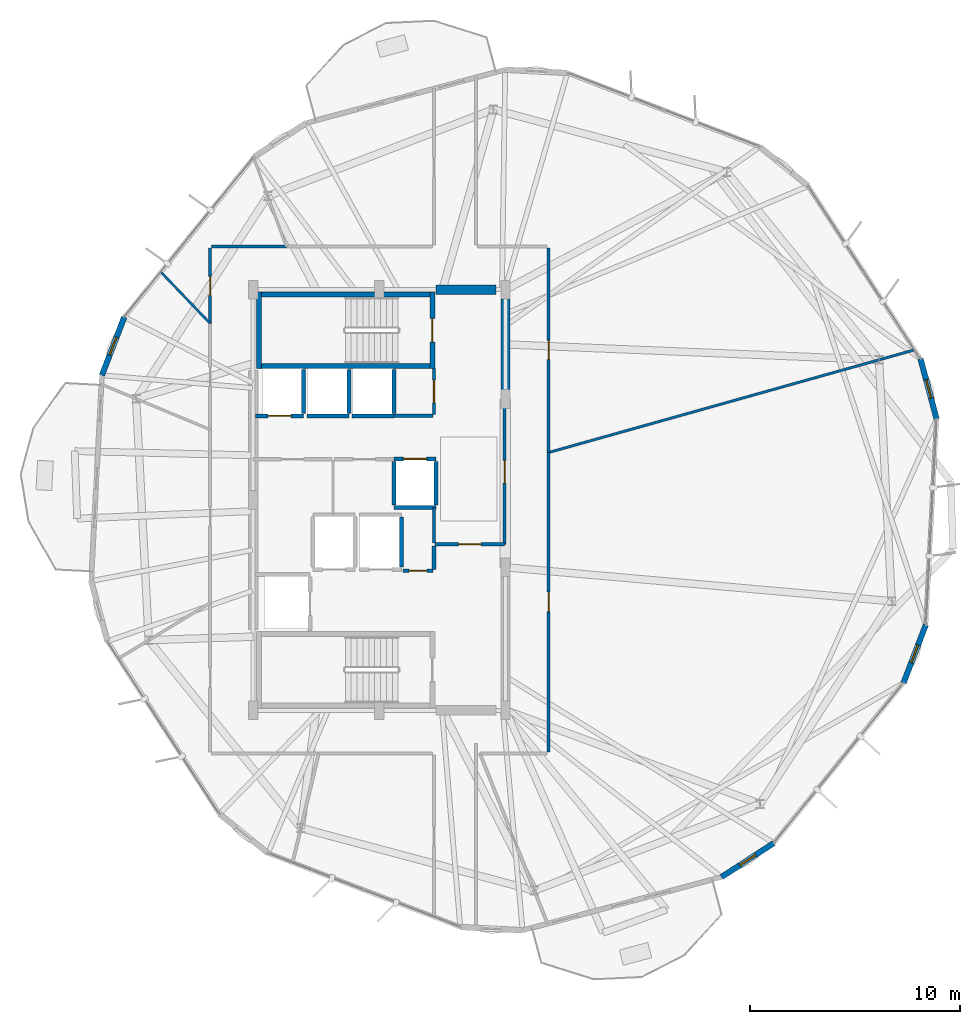
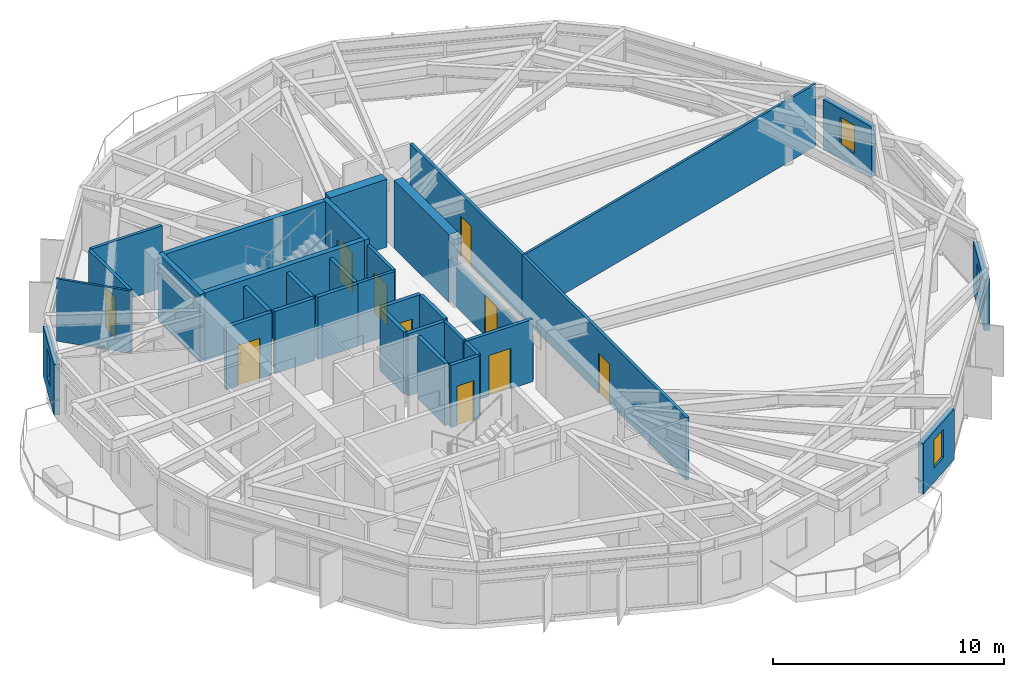
# One storey, part 25 of 29: 34 walls, 10 doors, 4 windows, 14 openings.
"""IFC4 building model written with IfcOpenShell, lengths in metres."""

from ifc_helpers import new_model, si_unit, direction, frame, frame_2d, origin, place, context, subcontext, project, spatial, rectangle, extrude, material, layer, layer_set, type_object, element, fill, save


model = new_model("IFC4")

# Units and contexts
model_context = context("Model", 3, precision=1e-05, world=origin(), true_north=direction((0.0, 1.0)))
body_context = subcontext(model_context, "Body", "Model", "MODEL_VIEW")
ifc_project = project(units=[si_unit("LENGTHUNIT", "METRE"), si_unit("AREAUNIT", "SQUARE_METRE"), si_unit("VOLUMEUNIT", "CUBIC_METRE"), si_unit("PLANEANGLEUNIT", "RADIAN"), si_unit("MASSUNIT", "GRAM", prefix="KILO")], contexts=[model_context])

# Site, building, storey
site_placement = place(None, origin())
site = spatial("IfcSite", under=ifc_project, at=site_placement, CompositionType="ELEMENT")
building_placement = place(site_placement, origin())
building = spatial("IfcBuilding", under=site, at=building_placement, Name="Soratama Intermodal Tower", CompositionType="ELEMENT")
storey_placement = place(building_placement, frame((0.0, 0.0, 219.39990234375)))
storey = spatial("IfcBuildingStorey", under=building, at=storey_placement, Name="L55", CompositionType="ELEMENT", Elevation=219.39990234375)

# Wall, opening, window
ifc_material_1 = material(Name="Concrete f'c 42 MPa", Category="concrete")
ifc_layer_1 = layer(ifc_material_1, 0.27001953125)
ifc_layer_set_1 = layer_set([ifc_layer_1], Name="Concrete f'c 42 MPa")
wall_type_1 = type_object("IfcWallType", Name="EW-CRN-270", PredefinedType="SOLIDWALL", material=ifc_layer_set_1)
wall_1_placement = place(storey_placement, frame((26.4697265625, 33.701904296875, 0.0), z_axis=(0.0, 0.0, 1.0), x_axis=(-0.358399967348, -0.933568135384, 0.0)))
wall_1 = element("IfcWall", 1, at=wall_1_placement, inside=storey, type_object=wall_type_1, Name="L55 Corner Closure Wall 03", PredefinedType="SOLIDWALL", context=body_context, shape_type="SweptSolid", body=[
    extrude(rectangle(XDim=2.966552734375, YDim=0.27001953125, at=frame_2d((1.4833984375, 0.0))), origin(), (0.0, 0.0, 1.0), 2.67919921875),
])
opening_1_placement = place(wall_1_placement, frame((1.033203125, 0.0, 0.75)))
opening_1 = element("IfcOpeningElement", 2, at=opening_1_placement, cuts=wall_1, Name="Opening WN-6", PredefinedType="OPENING", context=body_context, shape_type="SweptSolid", body=[
    extrude(rectangle(XDim=0.89990234375, YDim=1.5, at=frame_2d((0.449951171875, 0.75))), frame((0.0, 0.14501953125, 0.0), z_axis=(0.0, -1.0, 0.0), x_axis=(1.0, 0.0, 0.0)), (0.0, 0.0, 1.0), 0.2900390625),
])
ifc_material_2 = material(Name="Double-glazed aluminium window", Category="aluminium")
window_type = type_object("IfcWindowType", Name="WN-FAC-900", PartitioningType="SINGLE_PANEL", PredefinedType="WINDOW", material=ifc_material_2)
window_1_placement = place(opening_1_placement, origin())
window_1 = element("IfcWindow", 3, at=window_1_placement, inside=storey, type_object=window_type, Name="L55 Corner Window 03", OverallHeight=1.5, OverallWidth=0.89990234375, PartitioningType="SINGLE_PANEL", PredefinedType="WINDOW", context=body_context, shape_type="SweptSolid", body=[
    extrude(rectangle(XDim=0.89990234375, YDim=1.5, at=frame_2d((0.449951171875, 0.75))), frame((0.0, 0.030029296875, 0.0), z_axis=(0.0, -1.0, 0.0), x_axis=(1.0, 0.0, 0.0)), (0.0, 0.0, 1.0), 0.06005859375),
])
fill(opening_1, window_1)

wall_2_placement = place(storey_placement, frame((54.87646484375, 7.068115234375, 0.0), z_axis=(0.0, 0.0, 1.0), x_axis=(0.838674807451, 0.544632506693, 0.0)))
wall_2 = element("IfcWall", 4, at=wall_2_placement, inside=storey, type_object=wall_type_1, Name="L55 Corner Closure Wall 07", PredefinedType="SOLIDWALL", context=body_context, shape_type="SweptSolid", body=[
    extrude(rectangle(XDim=2.966552734375, YDim=0.27001953125, at=frame_2d((1.4833984375, 0.0))), origin(), (0.0, 0.0, 1.0), 2.67919921875),
])
opening_2_placement = place(wall_2_placement, frame((1.033203125, 0.0, 0.75)))
opening_2 = element("IfcOpeningElement", 5, at=opening_2_placement, cuts=wall_2, Name="Opening WN-6", PredefinedType="OPENING", context=body_context, shape_type="SweptSolid", body=[
    extrude(rectangle(XDim=0.89990234375, YDim=1.5, at=frame_2d((0.449951171875, 0.75))), frame((0.0, 0.14501953125, 0.0), z_axis=(0.0, -1.0, 0.0), x_axis=(1.0, 0.0, 0.0)), (0.0, 0.0, 1.0), 0.2900390625),
])
window_2_placement = place(opening_2_placement, origin())
window_2 = element("IfcWindow", 6, at=window_2_placement, inside=storey, type_object=window_type, Name="L55 Corner Window 07", OverallHeight=1.5, OverallWidth=0.89990234375, PartitioningType="SINGLE_PANEL", PredefinedType="WINDOW", context=body_context, shape_type="SweptSolid", body=[
    extrude(rectangle(XDim=0.89990234375, YDim=1.5, at=frame_2d((0.449951171875, 0.75))), frame((0.0, 0.030029296875, 0.0), z_axis=(0.0, -1.0, 0.0), x_axis=(1.0, 0.0, 0.0)), (0.0, 0.0, 1.0), 0.06005859375),
])
fill(opening_2, window_2)

wall_3_placement = place(storey_placement, frame((63.5302734375, 16.298095703125, 0.0), z_axis=(0.0, 0.0, 1.0), x_axis=(0.358399967348, 0.933568135384, 0.0)))
wall_3 = element("IfcWall", 7, at=wall_3_placement, inside=storey, type_object=wall_type_1, Name="L55 Corner Closure Wall 08", PredefinedType="SOLIDWALL", context=body_context, shape_type="SweptSolid", body=[
    extrude(rectangle(XDim=2.966552734375, YDim=0.27001953125, at=frame_2d((1.4833984375, 0.0))), origin(), (0.0, 0.0, 1.0), 2.67919921875),
])
opening_3_placement = place(wall_3_placement, frame((1.033203125, 0.0, 0.75)))
opening_3 = element("IfcOpeningElement", 8, at=opening_3_placement, cuts=wall_3, Name="Opening WN-6", PredefinedType="OPENING", context=body_context, shape_type="SweptSolid", body=[
    extrude(rectangle(XDim=0.89990234375, YDim=1.5, at=frame_2d((0.449951171875, 0.75))), frame((0.0, 0.14501953125, 0.0), z_axis=(0.0, -1.0, 0.0), x_axis=(1.0, 0.0, 0.0)), (0.0, 0.0, 1.0), 0.2900390625),
])
window_3_placement = place(opening_3_placement, origin())
window_3 = element("IfcWindow", 9, at=window_3_placement, inside=storey, type_object=window_type, Name="L55 Corner Window 08", OverallHeight=1.5, OverallWidth=0.89990234375, PartitioningType="SINGLE_PANEL", PredefinedType="WINDOW", context=body_context, shape_type="SweptSolid", body=[
    extrude(rectangle(XDim=0.89990234375, YDim=1.5, at=frame_2d((0.449951171875, 0.75))), frame((0.0, 0.030029296875, 0.0), z_axis=(0.0, -1.0, 0.0), x_axis=(1.0, 0.0, 0.0)), (0.0, 0.0, 1.0), 0.06005859375),
])
fill(opening_3, window_3)

wall_4_placement = place(storey_placement, frame((65.106201171875, 28.851806640625, 0.0), z_axis=(0.0, 0.0, 1.0), x_axis=(-0.258825213075, 0.965924173565, 0.0)))
wall_4 = element("IfcWall", 10, at=wall_4_placement, inside=storey, type_object=wall_type_1, Name="L55 Corner Closure Wall 09", PredefinedType="SOLIDWALL", context=body_context, shape_type="SweptSolid", body=[
    extrude(rectangle(XDim=2.966552734375, YDim=0.27001953125, at=frame_2d((1.4833984375, 0.0))), origin(), (0.0, 0.0, 1.0), 2.67919921875),
])
opening_4_placement = place(wall_4_placement, frame((1.033203125, 0.0, 0.75)))
opening_4 = element("IfcOpeningElement", 11, at=opening_4_placement, cuts=wall_4, Name="Opening WN-6", PredefinedType="OPENING", context=body_context, shape_type="SweptSolid", body=[
    extrude(rectangle(XDim=0.89990234375, YDim=1.5, at=frame_2d((0.449951171875, 0.75))), frame((0.0, 0.14501953125, 0.0), z_axis=(0.0, -1.0, 0.0), x_axis=(1.0, 0.0, 0.0)), (0.0, 0.0, 1.0), 0.2900390625),
])
window_4_placement = place(opening_4_placement, origin())
window_4 = element("IfcWindow", 12, at=window_4_placement, inside=storey, type_object=window_type, Name="L55 Corner Window 09", OverallHeight=1.5, OverallWidth=0.89990234375, PartitioningType="SINGLE_PANEL", PredefinedType="WINDOW", context=body_context, shape_type="SweptSolid", body=[
    extrude(rectangle(XDim=0.89990234375, YDim=1.5, at=frame_2d((0.449951171875, 0.75))), frame((0.0, 0.030029296875, 0.0), z_axis=(0.0, -1.0, 0.0), x_axis=(1.0, 0.0, 0.0)), (0.0, 0.0, 1.0), 0.06005859375),
])
fill(opening_4, window_4)

# Wall, opening, door
ifc_material_3 = material(Name="Fire-rated gypsum stud partition", Category="concrete")
ifc_layer_2 = layer(ifc_material_3, 0.14990234375)
ifc_layer_set_2 = layer_set([ifc_layer_2], Name="Fire-rated gypsum stud partition")
wall_type_2 = type_object("IfcWallType", Name="IW-PART-R150", PredefinedType="PARTITIONING", material=ifc_layer_set_2)
wall_5_placement = place(storey_placement, frame((46.64990234375, 27.258056640625, 0.0), z_axis=(0.0, 0.0, 1.0), x_axis=(0.0, -1.0, 0.0)))
wall_5 = element("IfcWall", 13, at=wall_5_placement, inside=storey, type_object=wall_type_2, Name="L55 Partition W-L55-TP002", PredefinedType="PARTITIONING", context=body_context, shape_type="SweptSolid", body=[
    extrude(rectangle(XDim=14.238037109375, YDim=0.14990234375, at=frame_2d((7.119140625, 0.0))), origin(), (0.0, 0.0, 1.0), 3.300048828125),
])
opening_5_placement = place(wall_5_placement, frame((6.64404296875, 0.0, 0.0)))
opening_5 = element("IfcOpeningElement", 14, at=opening_5_placement, cuts=wall_5, Name="Opening ID-6", PredefinedType="OPENING", context=body_context, shape_type="SweptSolid", body=[
    extrude(rectangle(XDim=0.919921875, YDim=2.1201171875, at=frame_2d((0.4599609375, 1.06005859375))), frame((0.0, 0.0849609375, 0.0), z_axis=(0.0, -1.0, 0.0), x_axis=(1.0, 0.0, 0.0)), (0.0, 0.0, 1.0), 0.169921875),
])
ifc_material_4 = material(Name="Solid hardwood acoustic door", Category="wood")
door_type_1 = type_object("IfcDoorType", Name="DR-ROOM-920", OperationType="NOTDEFINED", PredefinedType="DOOR", material=ifc_material_4)
door_1_placement = place(opening_5_placement, origin())
door_1 = element("IfcDoor", 15, at=door_1_placement, inside=storey, type_object=door_type_1, Name="L55 Door D-L55-TP001", OperationType="SINGLE_SWING_RIGHT", OverallHeight=2.1201171875, OverallWidth=0.919921875, PredefinedType="DOOR", context=body_context, shape_type="SweptSolid", body=[
    extrude(rectangle(XDim=0.919921875, YDim=2.1201171875, at=frame_2d((0.4599609375, 1.06005859375))), frame((0.0, 0.02490234375, 0.0), z_axis=(0.0, -1.0, 0.0), x_axis=(1.0, 0.0, 0.0)), (0.0, 0.0, 1.0), 0.050048828125),
])
fill(opening_5, door_1)

wall_6_placement = place(storey_placement, frame((46.64990234375, 36.97998046875, 0.0), z_axis=(0.0, 0.0, 1.0), x_axis=(0.0, -1.0, 0.0)))
wall_6 = element("IfcWall", 16, at=wall_6_placement, inside=storey, type_object=wall_type_2, Name="L55 Partition W-L55-TP003", PredefinedType="PARTITIONING", context=body_context, shape_type="SweptSolid", body=[
    extrude(rectangle(XDim=9.721923828125, YDim=0.14990234375, at=frame_2d((4.86083984375, 0.0))), origin(), (0.0, 0.0, 1.0), 3.300048828125),
])
opening_6_placement = place(wall_6_placement, frame((4.385986328125, 0.0, 0.0)))
opening_6 = element("IfcOpeningElement", 17, at=opening_6_placement, cuts=wall_6, Name="Opening ID-6", PredefinedType="OPENING", context=body_context, shape_type="SweptSolid", body=[
    extrude(rectangle(XDim=0.919921875, YDim=2.1201171875, at=frame_2d((0.4599609375, 1.06005859375))), frame((0.0, 0.0849609375, 0.0), z_axis=(0.0, -1.0, 0.0), x_axis=(1.0, 0.0, 0.0)), (0.0, 0.0, 1.0), 0.169921875),
])
door_2_placement = place(opening_6_placement, origin())
door_2 = element("IfcDoor", 18, at=door_2_placement, inside=storey, type_object=door_type_1, Name="L55 Door D-L55-TP002", OperationType="SINGLE_SWING_LEFT", OverallHeight=2.1201171875, OverallWidth=0.919921875, PredefinedType="DOOR", context=body_context, shape_type="SweptSolid", body=[
    extrude(rectangle(XDim=0.919921875, YDim=2.1201171875, at=frame_2d((0.4599609375, 1.06005859375))), frame((0.0, 0.02490234375, 0.0), z_axis=(0.0, -1.0, 0.0), x_axis=(1.0, 0.0, 0.0)), (0.0, 0.0, 1.0), 0.050048828125),
])
fill(opening_6, door_2)

wall_7_placement = place(storey_placement, frame((44.56005859375, 29.800048828125, 0.0), z_axis=(0.0, 0.0, 1.0), x_axis=(0.0, -1.0, 0.0)))
wall_7 = element("IfcWall", 19, at=wall_7_placement, inside=storey, type_object=wall_type_2, Name="L55 Partition W-L55-TP011", PredefinedType="PARTITIONING", context=body_context, shape_type="SweptSolid", body=[
    extrude(rectangle(XDim=6.91015625, YDim=0.14990234375, at=frame_2d((3.455078125, 0.0))), origin(), (0.0, 0.0, 1.0), 2.340087890625),
])
opening_7_placement = place(wall_7_placement, frame((2.9150390625, 0.0, 0.0)))
opening_7 = element("IfcOpeningElement", 20, at=opening_7_placement, cuts=wall_7, Name="Opening ID-1", PredefinedType="OPENING", context=body_context, shape_type="SweptSolid", body=[
    extrude(rectangle(XDim=1.080078125, YDim=2.14990234375, at=frame_2d((0.5400390625, 1.074951171875))), frame((0.0, 0.0849609375, 0.0), z_axis=(0.0, -1.0, 0.0), x_axis=(1.0, 0.0, 0.0)), (0.0, 0.0, 1.0), 0.169921875),
])
ifc_material_5 = material(Name="Solid hardwood acoustic door", Category="wood")
door_type_2 = type_object("IfcDoorType", Name="DR-LOB-FD60", OperationType="NOTDEFINED", PredefinedType="DOOR", material=ifc_material_5)
door_3_placement = place(opening_7_placement, origin())
door_3 = element("IfcDoor", 21, at=door_3_placement, inside=storey, type_object=door_type_2, Name="L55 Door D-L55-TP007", OperationType="SINGLE_SWING_RIGHT", OverallHeight=2.14990234375, OverallWidth=1.080078125, PredefinedType="DOOR", context=body_context, shape_type="SweptSolid", body=[
    extrude(rectangle(XDim=1.080078125, YDim=2.14990234375, at=frame_2d((0.5400390625, 1.074951171875))), frame((0.0, 0.02490234375, 0.0), z_axis=(0.0, -1.0, 0.0), x_axis=(1.0, 0.0, 0.0)), (0.0, 0.0, 1.0), 0.050048828125),
])
fill(opening_7, door_3)

wall_8_placement = place(storey_placement, frame((30.550048828125, 33.40087890625, 0.0), z_axis=(0.0, 0.0, 1.0), x_axis=(0.0, 1.0, 0.0)))
wall_8 = element("IfcWall", 22, at=wall_8_placement, inside=storey, type_object=wall_type_2, Name="L55 Partition W-L55-TP020", PredefinedType="PARTITIONING", context=body_context, shape_type="SweptSolid", body=[
    extrude(rectangle(XDim=3.5791015625, YDim=0.14990234375, at=frame_2d((1.78955078125, 0.0))), origin(), (0.0, 0.0, 1.0), 3.300048828125),
])
opening_8_placement = place(wall_8_placement, frame((1.31396484375, 0.0, 0.0)))
opening_8 = element("IfcOpeningElement", 23, at=opening_8_placement, cuts=wall_8, Name="Opening ID-6", PredefinedType="OPENING", context=body_context, shape_type="SweptSolid", body=[
    extrude(rectangle(XDim=0.919921875, YDim=2.1201171875, at=frame_2d((0.4599609375, 1.06005859375))), frame((0.0, 0.0849609375, 0.0), z_axis=(0.0, -1.0, 0.0), x_axis=(1.0, 0.0, 0.0)), (0.0, 0.0, 1.0), 0.169921875),
])
door_4_placement = place(opening_8_placement, origin())
door_4 = element("IfcDoor", 24, at=door_4_placement, inside=storey, type_object=door_type_1, Name="L55 Door D-L55-TP010", OperationType="SINGLE_SWING_LEFT", OverallHeight=2.1201171875, OverallWidth=0.919921875, PredefinedType="DOOR", context=body_context, shape_type="SweptSolid", body=[
    extrude(rectangle(XDim=0.919921875, YDim=2.1201171875, at=frame_2d((0.4599609375, 1.06005859375))), frame((0.0, 0.02490234375, 0.0), z_axis=(0.0, -1.0, 0.0), x_axis=(1.0, 0.0, 0.0)), (0.0, 0.0, 1.0), 0.050048828125),
])
fill(opening_8, door_4)

# Wall
wall_9_placement = place(storey_placement, frame((30.6201171875, 37.050048828125, 0.0), z_axis=(0.0, 0.0, 1.0), x_axis=(1.0, 0.0, 0.0)))
element("IfcWall", 25, at=wall_9_placement, inside=storey, type_object=wall_type_2, Name="L55 Partition W-L55-TP021", PredefinedType="PARTITIONING", context=body_context, shape_type="SweptSolid", body=[
    extrude(rectangle(XDim=3.557861328125, YDim=0.14990234375, at=frame_2d((1.77880859375, 0.0))), origin(), (0.0, 0.0, 1.0), 3.300048828125),
])

# Wall, opening, door
wall_10_placement = place(storey_placement, frame((41.199951171875, 29.070068359375, 0.0), z_axis=(0.0, 0.0, 1.0), x_axis=(0.0, 1.0, 0.0)))
wall_10 = element("IfcWall", 26, at=wall_10_placement, inside=storey, type_object=wall_type_2, Name="L55 Partition W-L55-TP028", PredefinedType="PARTITIONING", context=body_context, shape_type="SweptSolid", body=[
    extrude(rectangle(XDim=2.18994140625, YDim=0.14990234375, at=frame_2d((1.094970703125, 0.0))), origin(), (0.0, 0.0, 1.0), 3.300048828125),
])
opening_9_placement = place(wall_10_placement, frame((0.554931640625, 0.0, 0.0)))
opening_9 = element("IfcOpeningElement", 27, at=opening_9_placement, cuts=wall_10, Name="Opening ID-1", PredefinedType="OPENING", context=body_context, shape_type="SweptSolid", body=[
    extrude(rectangle(XDim=1.080078125, YDim=2.14990234375, at=frame_2d((0.5400390625, 1.074951171875))), frame((0.0, 0.0849609375, 0.0), z_axis=(0.0, -1.0, 0.0), x_axis=(1.0, 0.0, 0.0)), (0.0, 0.0, 1.0), 0.169921875),
])
door_5_placement = place(opening_9_placement, origin())
door_5 = element("IfcDoor", 28, at=door_5_placement, inside=storey, type_object=door_type_2, Name="L55 Door D-L55-TP013", OperationType="SINGLE_SWING_RIGHT", OverallHeight=2.14990234375, OverallWidth=1.080078125, PredefinedType="DOOR", context=body_context, shape_type="SweptSolid", body=[
    extrude(rectangle(XDim=1.080078125, YDim=2.14990234375, at=frame_2d((0.5400390625, 1.074951171875))), frame((0.0, 0.02490234375, 0.0), z_axis=(0.0, -1.0, 0.0), x_axis=(1.0, 0.0, 0.0)), (0.0, 0.0, 1.0), 0.050048828125),
])
fill(opening_9, door_5)

# Walls
wall_11_placement = place(storey_placement, frame((39.300048828125, 29.010009765625, 0.0), z_axis=(0.0, 0.0, 1.0), x_axis=(1.0, 0.0, 0.0)))
element("IfcWall", 29, at=wall_11_placement, inside=storey, type_object=wall_type_2, Name="L55 Partition W-L55-TP029", PredefinedType="PARTITIONING", context=body_context, shape_type="SweptSolid", body=[
    extrude(rectangle(XDim=1.85986328125, YDim=0.14990234375, at=frame_2d((0.929931640625, 0.0))), origin(), (0.0, 0.0, 1.0), 3.300048828125),
])
wall_12_placement = place(storey_placement, frame((41.199951171875, 22.9599609375, 0.0), z_axis=(0.0, 0.0, 1.0), x_axis=(0.0, 1.0, 0.0)))
element("IfcWall", 30, at=wall_12_placement, inside=storey, type_object=wall_type_2, Name="L55 Partition W-L55-TP030", PredefinedType="PARTITIONING", context=body_context, shape_type="SweptSolid", body=[
    extrude(rectangle(XDim=1.68994140625, YDim=0.14990234375, at=frame_2d((0.844970703125, 0.0))), origin(), (0.0, 0.0, 1.0), 3.300048828125),
])

# Wall, opening, door
ifc_material_6 = material(Name="Fire-rated gypsum stud partition", Category="concrete")
ifc_layer_3 = layer(ifc_material_6, 0.169921875)
ifc_layer_set_3 = layer_set([ifc_layer_3], Name="Fire-rated gypsum stud partition")
wall_type_3 = type_object("IfcWallType", Name="IW-PART-R170", PredefinedType="PARTITIONING", material=ifc_layer_set_3)
wall_13_placement = place(storey_placement, frame((41.239990234375, 22.889892578125, 0.0), z_axis=(0.0, 0.0, 1.0), x_axis=(1.0, 0.0, 0.0)))
wall_13 = element("IfcWall", 31, at=wall_13_placement, inside=storey, type_object=wall_type_3, Name="L55 Partition W-L55-TP023", PredefinedType="PARTITIONING", context=body_context, shape_type="SweptSolid", body=[
    extrude(rectangle(XDim=3.320068359375, YDim=0.169921875, at=frame_2d((1.66015625, 0.0))), origin(), (0.0, 0.0, 1.0), 3.300048828125),
])
opening_10_placement = place(wall_13_placement, frame((1.1201171875, 0.0, 0.0)))
opening_10 = element("IfcOpeningElement", 32, at=opening_10_placement, cuts=wall_13, Name="Opening ID-0", PredefinedType="OPENING", context=body_context, shape_type="SweptSolid", body=[
    extrude(rectangle(XDim=1.080078125, YDim=2.14990234375, at=frame_2d((0.5400390625, 1.074951171875))), frame((0.0, 0.094970703125, 0.0), z_axis=(0.0, -1.0, 0.0), x_axis=(1.0, 0.0, 0.0)), (0.0, 0.0, 1.0), 0.18994140625),
])
ifc_material_7 = material(Name="Solid hardwood acoustic door", Category="wood")
door_type_3 = type_object("IfcDoorType", Name="DR-LOB-FD90", OperationType="NOTDEFINED", PredefinedType="DOOR", material=ifc_material_7)
door_6_placement = place(opening_10_placement, origin())
door_6 = element("IfcDoor", 33, at=door_6_placement, inside=storey, type_object=door_type_3, Name="L55 Door D-L55-TP011", OperationType="SINGLE_SWING_RIGHT", OverallHeight=2.14990234375, OverallWidth=1.080078125, PredefinedType="DOOR", context=body_context, shape_type="SweptSolid", body=[
    extrude(rectangle(XDim=1.080078125, YDim=2.14990234375, at=frame_2d((0.5400390625, 1.074951171875))), frame((0.0, 0.02490234375, 0.0), z_axis=(0.0, -1.0, 0.0), x_axis=(1.0, 0.0, 0.0)), (0.0, 0.0, 1.0), 0.050048828125),
])
fill(opening_10, door_6)

wall_14_placement = place(storey_placement, frame((39.719970703125, 21.639892578125, 0.0), z_axis=(0.0, 0.0, 1.0), x_axis=(1.0, 0.0, 0.0)))
wall_14 = element("IfcWall", 34, at=wall_14_placement, inside=storey, type_object=wall_type_3, Name="L55 Partition W-L55-TP031", PredefinedType="PARTITIONING", context=body_context, shape_type="SweptSolid", body=[
    extrude(rectangle(XDim=1.43994140625, YDim=0.169921875, at=frame_2d((0.719970703125, 0.0))), origin(), (0.0, 0.0, 1.0), 3.300048828125),
])
opening_11_placement = place(wall_14_placement, frame((0.294921875, 0.0, 0.0)))
opening_11 = element("IfcOpeningElement", 35, at=opening_11_placement, cuts=wall_14, Name="Opening ID-4", PredefinedType="OPENING", context=body_context, shape_type="SweptSolid", body=[
    extrude(rectangle(XDim=0.85009765625, YDim=2.10009765625, at=frame_2d((0.425048828125, 1.050048828125))), frame((0.0, 0.094970703125, 0.0), z_axis=(0.0, -1.0, 0.0), x_axis=(1.0, 0.0, 0.0)), (0.0, 0.0, 1.0), 0.18994140625),
])
ifc_material_8 = material(Name="Solid hardwood acoustic door", Category="wood")
door_type_4 = type_object("IfcDoorType", Name="DR-BATH-850", OperationType="NOTDEFINED", PredefinedType="DOOR", material=ifc_material_8)
door_7_placement = place(opening_11_placement, origin())
door_7 = element("IfcDoor", 36, at=door_7_placement, inside=storey, type_object=door_type_4, Name="L55 Door D-L55-TP014", OperationType="SINGLE_SWING_LEFT", OverallHeight=2.10009765625, OverallWidth=0.85009765625, PredefinedType="DOOR", context=body_context, shape_type="SweptSolid", body=[
    extrude(rectangle(XDim=0.85009765625, YDim=2.10009765625, at=frame_2d((0.425048828125, 1.050048828125))), frame((0.0, 0.02490234375, 0.0), z_axis=(0.0, -1.0, 0.0), x_axis=(1.0, 0.0, 0.0)), (0.0, 0.0, 1.0), 0.050048828125),
])
fill(opening_11, door_7)

# Walls
wall_15_placement = place(storey_placement, frame((41.199951171875, 21.699951171875, 0.0), z_axis=(0.0, 0.0, 1.0), x_axis=(0.0, 1.0, 0.0)))
element("IfcWall", 37, at=wall_15_placement, inside=storey, type_object=wall_type_3, Name="L55 Partition W-L55-TP032", PredefinedType="PARTITIONING", context=body_context, shape_type="SweptSolid", body=[
    extrude(rectangle(XDim=1.1201171875, YDim=0.169921875, at=frame_2d((0.56005859375, 0.0))), origin(), (0.0, 0.0, 1.0), 3.300048828125),
])
ifc_material_9 = material(Name="Fire-rated gypsum stud partition", Category="concrete")
ifc_layer_4 = layer(ifc_material_9, 0.110107421875)
ifc_layer_set_4 = layer_set([ifc_layer_4], Name="Fire-rated gypsum stud partition")
wall_type_4 = type_object("IfcWallType", Name="IW-PART-S110", PredefinedType="PARTITIONING", material=ifc_layer_set_4)
wall_16_placement = place(storey_placement, frame((30.550048828125, 33.40087890625, 0.0), z_axis=(0.0, 0.0, 1.0), x_axis=(-0.691885015521, 0.722007704458, 0.0)))
element("IfcWall", 38, at=wall_16_placement, inside=storey, type_object=wall_type_4, Name="L55 Partition W-L55-TP022", PredefinedType="PARTITIONING", context=body_context, shape_type="SweptSolid", body=[
    extrude(rectangle(XDim=3.387939453125, YDim=0.110107421875, at=frame_2d((1.69384765625, 0.0))), origin(), (0.0, 0.0, 1.0), 3.300048828125),
])
ifc_material_10 = material(Name="Fire-rated gypsum stud partition", Category="concrete")
ifc_layer_5 = layer(ifc_material_10, 0.1201171875)
ifc_layer_set_5 = layer_set([ifc_layer_5], Name="Fire-rated gypsum stud partition")
wall_type_5 = type_object("IfcWallType", Name="IW-PART-S120", PredefinedType="PARTITIONING", material=ifc_layer_set_5)
wall_17_placement = place(storey_placement, frame((64.06298828125, 32.14208984375, 0.0), z_axis=(0.0, 0.0, 1.0), x_axis=(-0.962843769861, -0.270059021032, 0.0)))
element("IfcWall", 39, at=wall_17_placement, inside=storey, type_object=wall_type_5, Name="L55 Partition W-L55-TP001", PredefinedType="PARTITIONING", context=body_context, shape_type="SweptSolid", body=[
    extrude(rectangle(XDim=18.0849609375, YDim=0.1201171875, at=frame_2d((9.04248046875, 0.0))), origin(), (0.0, 0.0, 1.0), 3.300048828125),
])
ifc_material_11 = material(Name="Concrete f'c 42 MPa", Category="concrete")
ifc_layer_6 = layer(ifc_material_11, 0.18505859375)
ifc_layer_set_6 = layer_set([ifc_layer_6], Name="Concrete f'c 42 MPa")
wall_type_6 = type_object("IfcWallType", Name="IW-SHAFT-185", PredefinedType="SOLIDWALL", material=ifc_layer_set_6)
wall_18_placement = place(storey_placement, frame((39.64990234375, 21.81005859375, 0.0), z_axis=(0.0, 0.0, 1.0), x_axis=(0.0, 1.0, 0.0)))
element("IfcWall", 40, at=wall_18_placement, inside=storey, type_object=wall_type_6, Name="L55 FFL-2 Hoistway Wall E", PredefinedType="SOLIDWALL", context=body_context, shape_type="SweptSolid", body=[
    extrude(rectangle(XDim=2.3798828125, YDim=0.18505859375, at=frame_2d((1.18994140625, 0.0))), origin(), (0.0, 0.0, 1.0), 3.300048828125),
])
wall_19_placement = place(storey_placement, frame((39.300048828125, 24.64990234375, 0.0), z_axis=(0.0, 0.0, 1.0), x_axis=(1.0, 0.0, 0.0)))
element("IfcWall", 41, at=wall_19_placement, inside=storey, type_object=wall_type_6, Name="L55 PL-M1 Hoistway Wall S", PredefinedType="SOLIDWALL", context=body_context, shape_type="SweptSolid", body=[
    extrude(rectangle(XDim=2.0, YDim=0.18505859375, at=frame_2d((1.0, 0.0))), origin(), (0.0, 0.0, 1.0), 3.300048828125),
])

# Wall, opening, door
wall_20_placement = place(storey_placement, frame((39.300048828125, 26.949951171875, 0.0), z_axis=(0.0, 0.0, 1.0), x_axis=(1.0, 0.0, 0.0)))
wall_20 = element("IfcWall", 42, at=wall_20_placement, inside=storey, type_object=wall_type_6, Name="L55 PL-M1 Hoistway Wall N", PredefinedType="SOLIDWALL", context=body_context, shape_type="SweptSolid", body=[
    extrude(rectangle(XDim=2.0, YDim=0.18505859375, at=frame_2d((1.0, 0.0))), origin(), (0.0, 0.0, 1.0), 3.300048828125),
])
opening_12_placement = place(wall_20_placement, frame((0.449951171875, 0.0, 0.0)))
opening_12 = element("IfcOpeningElement", 43, at=opening_12_placement, cuts=wall_20, Name="Opening LD-1", PredefinedType="OPENING", context=body_context, shape_type="SweptSolid", body=[
    extrude(rectangle(XDim=1.10009765625, YDim=2.14990234375, at=frame_2d((0.550048828125, 1.074951171875))), frame((0.0, 0.1025390625, 0.0), z_axis=(0.0, -1.0, 0.0), x_axis=(1.0, 0.0, 0.0)), (0.0, 0.0, 1.0), 0.205078125),
])
ifc_material_12 = material(Name="Steel fire door", Category="steel")
door_type_5 = type_object("IfcDoorType", Name="DR-LIFT-SLIDE", OperationType="NOTDEFINED", PredefinedType="DOOR", material=ifc_material_12)
door_8_placement = place(opening_12_placement, origin())
door_8 = element("IfcDoor", 44, at=door_8_placement, inside=storey, type_object=door_type_5, Name="L55 PL-M1 Sliding Landing Door", OperationType="SLIDING_TO_LEFT", OverallHeight=2.14990234375, OverallWidth=1.10009765625, PredefinedType="DOOR", context=body_context, shape_type="SweptSolid", body=[
    extrude(rectangle(XDim=1.10009765625, YDim=2.14990234375, at=frame_2d((0.550048828125, 1.074951171875))), frame((0.0, 0.02490234375, 0.0), z_axis=(0.0, -1.0, 0.0), x_axis=(1.0, 0.0, 0.0)), (0.0, 0.0, 1.0), 0.050048828125),
])
fill(opening_12, door_8)

# Walls
for number, where, z_axis, x_axis, name in (
    (45, (39.300048828125, 24.760009765625, 0.0), (0.0, 0.0, 1.0), (0.0, 1.0, 0.0), "L55 PL-M1 Hoistway Wall W"),
    (46, (41.300048828125, 24.760009765625, 0.0), (0.0, 0.0, 1.0), (0.0, 1.0, 0.0), "L55 PL-M1 Hoistway Wall E"),
):
    element("IfcWall", number, at=place(storey_placement, frame(where, z_axis=z_axis, x_axis=x_axis)), inside=storey, type_object=wall_type_6, Name=name, PredefinedType="SOLIDWALL", context=body_context, shape_type="SweptSolid", body=[
        extrude(rectangle(XDim=2.080078125, YDim=0.18505859375, at=frame_2d((1.0400390625, 0.0))), origin(), (0.0, 0.0, 1.0), 3.300048828125),
    ])

# Wall, opening, door
wall_21_placement = place(storey_placement, frame((32.719970703125, 29.0, 0.0), z_axis=(0.0, 0.0, 1.0), x_axis=(1.0, 0.0, 0.0)))
wall_21 = element("IfcWall", 47, at=wall_21_placement, inside=storey, type_object=wall_type_6, Name="L55 PL-M2 Hoistway Wall S", PredefinedType="SOLIDWALL", context=body_context, shape_type="SweptSolid", body=[
    extrude(rectangle(XDim=2.280029296875, YDim=0.18505859375, at=frame_2d((1.14013671875, 0.0))), origin(), (0.0, 0.0, 1.0), 3.300048828125),
])
opening_13_placement = place(wall_21_placement, frame((0.590087890625, 0.0, 0.0)))
opening_13 = element("IfcOpeningElement", 48, at=opening_13_placement, cuts=wall_21, Name="Opening LD-1", PredefinedType="OPENING", context=body_context, shape_type="SweptSolid", body=[
    extrude(rectangle(XDim=1.10009765625, YDim=2.14990234375, at=frame_2d((0.550048828125, 1.074951171875))), frame((0.0, 0.1025390625, 0.0), z_axis=(0.0, -1.0, 0.0), x_axis=(1.0, 0.0, 0.0)), (0.0, 0.0, 1.0), 0.205078125),
])
door_9_placement = place(opening_13_placement, origin())
door_9 = element("IfcDoor", 49, at=door_9_placement, inside=storey, type_object=door_type_5, Name="L55 PL-M2 Sliding Landing Door", OperationType="SLIDING_TO_LEFT", OverallHeight=2.14990234375, OverallWidth=1.10009765625, PredefinedType="DOOR", context=body_context, shape_type="SweptSolid", body=[
    extrude(rectangle(XDim=1.10009765625, YDim=2.14990234375, at=frame_2d((0.550048828125, 1.074951171875))), frame((0.0, 0.02490234375, 0.0), z_axis=(0.0, -1.0, 0.0), x_axis=(1.0, 0.0, 0.0)), (0.0, 0.0, 1.0), 0.050048828125),
])
fill(opening_13, door_9)

# Walls
wall_22_placement = place(storey_placement, frame((35.0, 29.110107421875, 0.0), z_axis=(0.0, 0.0, 1.0), x_axis=(0.0, 1.0, 0.0)))
element("IfcWall", 50, at=wall_22_placement, inside=storey, type_object=wall_type_6, Name="L55 PL-M2 Hoistway Wall E", PredefinedType="SOLIDWALL", context=body_context, shape_type="SweptSolid", body=[
    extrude(rectangle(XDim=2.099853515625, YDim=0.18505859375, at=frame_2d((1.0498046875, 0.0))), origin(), (0.0, 0.0, 1.0), 3.300048828125),
])
wall_23_placement = place(storey_placement, frame((35.14990234375, 29.0, 0.0), z_axis=(0.0, 0.0, 1.0), x_axis=(1.0, 0.0, 0.0)))
element("IfcWall", 51, at=wall_23_placement, inside=storey, type_object=wall_type_6, Name="L55 PL-H1 Hoistway Wall S", PredefinedType="SOLIDWALL", context=body_context, shape_type="SweptSolid", body=[
    extrude(rectangle(XDim=2.0, YDim=0.18505859375, at=frame_2d((1.0, 0.0))), origin(), (0.0, 0.0, 1.0), 3.300048828125),
])
wall_24_placement = place(storey_placement, frame((37.14990234375, 29.110107421875, 0.0), z_axis=(0.0, 0.0, 1.0), x_axis=(0.0, 1.0, 0.0)))
element("IfcWall", 52, at=wall_24_placement, inside=storey, type_object=wall_type_6, Name="L55 PL-H1 Hoistway Wall E", PredefinedType="SOLIDWALL", context=body_context, shape_type="SweptSolid", body=[
    extrude(rectangle(XDim=2.099853515625, YDim=0.18505859375, at=frame_2d((1.0498046875, 0.0))), origin(), (0.0, 0.0, 1.0), 3.300048828125),
])
wall_25_placement = place(storey_placement, frame((37.300048828125, 29.0, 0.0), z_axis=(0.0, 0.0, 1.0), x_axis=(1.0, 0.0, 0.0)))
element("IfcWall", 53, at=wall_25_placement, inside=storey, type_object=wall_type_6, Name="L55 PL-H2 Hoistway Wall S", PredefinedType="SOLIDWALL", context=body_context, shape_type="SweptSolid", body=[
    extrude(rectangle(XDim=2.0, YDim=0.18505859375, at=frame_2d((1.0, 0.0))), origin(), (0.0, 0.0, 1.0), 3.300048828125),
])
wall_26_placement = place(storey_placement, frame((39.300048828125, 29.110107421875, 0.0), z_axis=(0.0, 0.0, 1.0), x_axis=(0.0, 1.0, 0.0)))
element("IfcWall", 54, at=wall_26_placement, inside=storey, type_object=wall_type_6, Name="L55 PL-H2 Hoistway Wall E", PredefinedType="SOLIDWALL", context=body_context, shape_type="SweptSolid", body=[
    extrude(rectangle(XDim=2.099853515625, YDim=0.18505859375, at=frame_2d((1.0498046875, 0.0))), origin(), (0.0, 0.0, 1.0), 3.300048828125),
])
ifc_material_13 = material(Name="Concrete f'c 56 MPa", Category="concrete")
ifc_layer_7 = layer(ifc_material_13, 0.449951171875)
ifc_layer_set_7 = layer_set([ifc_layer_7], Name="Concrete f'c 56 MPa")
wall_type_7 = type_object("IfcWallType", Name="SW-CORE-450", PredefinedType="SHEAR", material=ifc_layer_set_7)
wall_27_placement = place(storey_placement, frame((41.300048828125, 35.0, 0.0), z_axis=(0.0, 0.0, 1.0), x_axis=(1.0, 0.0, 0.0)))
element("IfcWall", 55, at=wall_27_placement, inside=storey, type_object=wall_type_7, Name="L55 Core Shear Wall CW-NE", PredefinedType="SHEAR", context=body_context, shape_type="SweptSolid", body=[
    extrude(rectangle(XDim=2.849853515625, YDim=0.449951171875, at=frame_2d((1.4248046875, 0.0))), origin(), (0.0, 0.0, 1.0), 3.60009765625),
])
wall_28_placement = place(storey_placement, frame((44.60009765625, 29.800048828125, 0.0), z_axis=(0.0, 0.0, 1.0), x_axis=(0.0, 1.0, 0.0)))
element("IfcWall", 56, at=wall_28_placement, inside=storey, type_object=wall_type_7, Name="L55 Core Shear Wall CW-EN", PredefinedType="SHEAR", context=body_context, shape_type="SweptSolid", body=[
    extrude(rectangle(XDim=4.75, YDim=0.449951171875, at=frame_2d((2.375, 0.0))), origin(), (0.0, 0.0, 1.0), 3.60009765625),
])
ifc_material_14 = material(Name="Concrete f'c 56 MPa", Category="concrete")
ifc_layer_8 = layer(ifc_material_14, 0.239990234375)
ifc_layer_set_8 = layer_set([ifc_layer_8], Name="Concrete f'c 56 MPa")
wall_type_8 = type_object("IfcWallType", Name="SW-STAIR-240", PredefinedType="SHEAR", material=ifc_layer_set_8)
wall_29_placement = place(storey_placement, frame((32.8798828125, 31.260009765625, 0.0), z_axis=(0.0, 0.0, 1.0), x_axis=(0.0, 1.0, 0.0)))
element("IfcWall", 57, at=wall_29_placement, inside=storey, type_object=wall_type_8, Name="L55 ST-2 Shaft Shear Wall W", PredefinedType="SHEAR", context=body_context, shape_type="SweptSolid", body=[
    extrude(rectangle(XDim=3.6298828125, YDim=0.239990234375, at=frame_2d((1.81494140625, 0.0))), origin(), (0.0, 0.0, 1.0), 3.60009765625),
])

# Wall, opening, door
wall_30_placement = place(storey_placement, frame((41.1201171875, 31.260009765625, 0.0), z_axis=(0.0, 0.0, 1.0), x_axis=(0.0, 1.0, 0.0)))
wall_30 = element("IfcWall", 58, at=wall_30_placement, inside=storey, type_object=wall_type_8, Name="L55 ST-2 Shaft Shear Wall E", PredefinedType="SHEAR", context=body_context, shape_type="SweptSolid", body=[
    extrude(rectangle(XDim=3.6298828125, YDim=0.239990234375, at=frame_2d((1.81494140625, 0.0))), origin(), (0.0, 0.0, 1.0), 3.60009765625),
])
opening_14_placement = place(wall_30_placement, frame((1.2548828125, 0.0, 0.0)))
opening_14 = element("IfcOpeningElement", 59, at=opening_14_placement, cuts=wall_30, Name="Opening SD-1", PredefinedType="OPENING", context=body_context, shape_type="SweptSolid", body=[
    extrude(rectangle(XDim=1.1201171875, YDim=2.14990234375, at=frame_2d((0.56005859375, 1.074951171875))), frame((0.0, 0.1298828125, 0.0), z_axis=(0.0, -1.0, 0.0), x_axis=(1.0, 0.0, 0.0)), (0.0, 0.0, 1.0), 0.260009765625),
])
ifc_material_15 = material(Name="Steel fire door", Category="steel")
door_type_6 = type_object("IfcDoorType", Name="DR-STAIR-FD90", OperationType="NOTDEFINED", PredefinedType="DOOR", material=ifc_material_15)
door_10_placement = place(opening_14_placement, origin())
door_10 = element("IfcDoor", 60, at=door_10_placement, inside=storey, type_object=door_type_6, Name="L55 ST-2 Exit Stair Door", OperationType="SINGLE_SWING_RIGHT", OverallHeight=2.14990234375, OverallWidth=1.1201171875, PredefinedType="DOOR", context=body_context, shape_type="SweptSolid", body=[
    extrude(rectangle(XDim=1.1201171875, YDim=2.14990234375, at=frame_2d((0.56005859375, 1.074951171875))), frame((0.0, 0.02490234375, 0.0), z_axis=(0.0, -1.0, 0.0), x_axis=(1.0, 0.0, 0.0)), (0.0, 0.0, 1.0), 0.050048828125),
])
fill(opening_14, door_10)

# Walls
for number, where, z_axis, x_axis, name in (
    (61, (33.0, 31.3798828125, 0.0), (0.0, 0.0, 1.0), (1.0, 0.0, 0.0), "L55 ST-2 Shaft Shear Wall S"),
    (62, (33.0, 34.77001953125, 0.0), (0.0, 0.0, 1.0), (1.0, 0.0, 0.0), "L55 ST-2 Shaft Shear Wall N"),
):
    element("IfcWall", number, at=place(storey_placement, frame(where, z_axis=z_axis, x_axis=x_axis)), inside=storey, type_object=wall_type_8, Name=name, PredefinedType="SHEAR", context=body_context, shape_type="SweptSolid", body=[
        extrude(rectangle(XDim=8.0, YDim=0.239990234375, at=frame_2d((4.0, 0.0))), origin(), (0.0, 0.0, 1.0), 3.60009765625),
    ])

save(model, "model.ifc")
